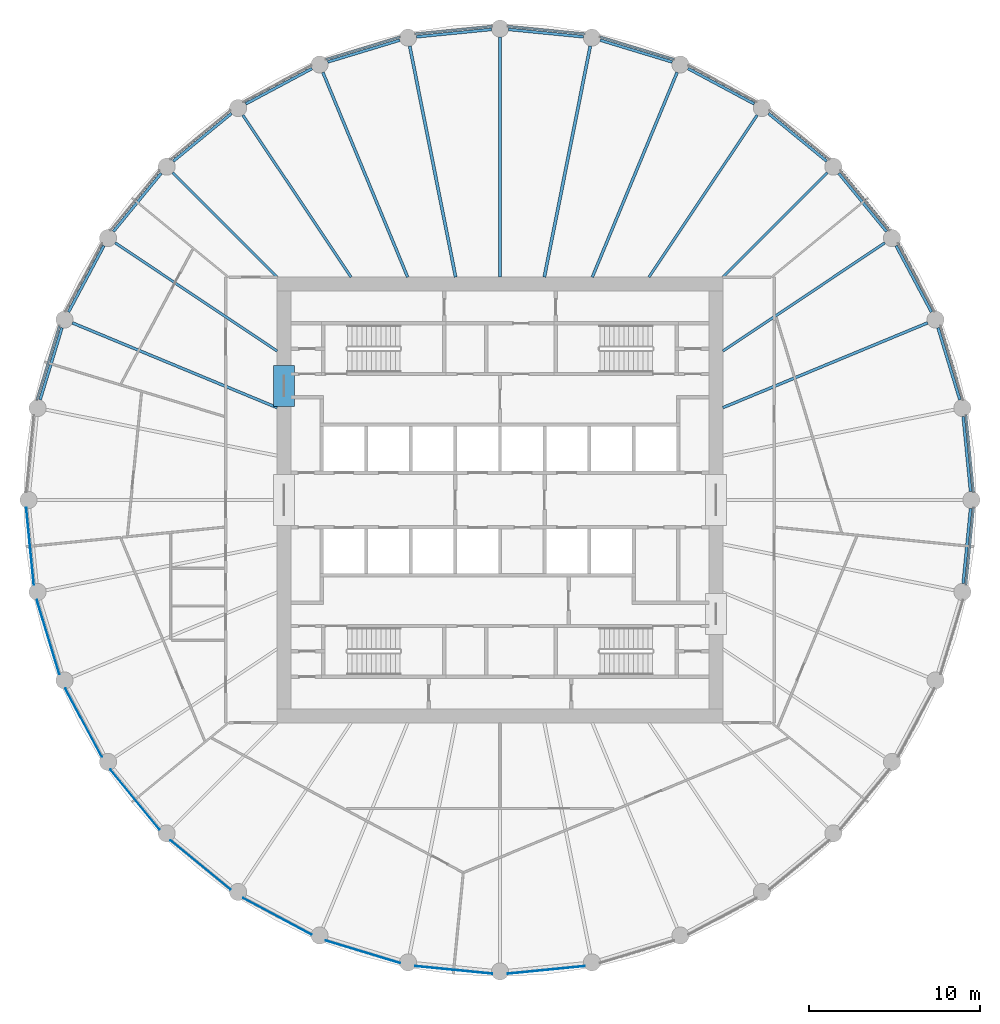
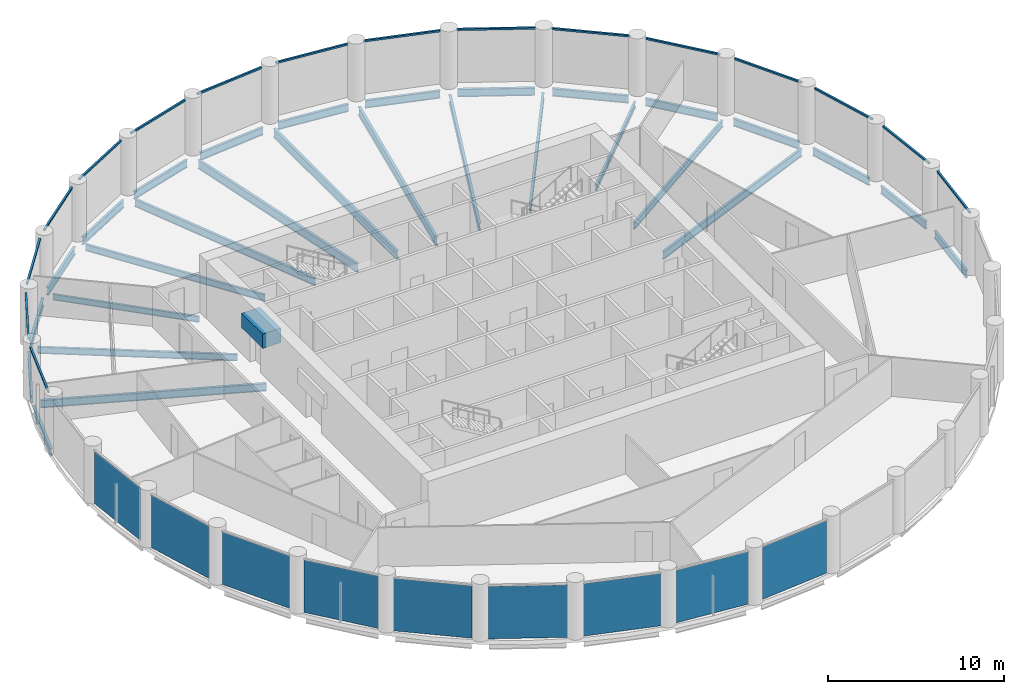
# One storey, part 2 of 9: 30 beams, 16 members, 9 plates, 25 elements without a shape of their own.
"""IFC4 building model written with IfcOpenShell, lengths in metres."""

from ifc_helpers import new_model, si_unit, direction, frame, origin, origin_2d, place, context, subcontext, project, spatial, rectangle, i_section, extrude, material, layer, layer_set, material_profile, profile_set, type_object, element, aggregate, save


model = new_model("IFC4")

# Units and contexts
model_context = context("Model", 3, precision=1e-05, world=origin(), true_north=direction((0.0, 1.0)))
body_context = subcontext(model_context, "Body", "Model", "MODEL_VIEW")
ifc_project = project(units=[si_unit("LENGTHUNIT", "METRE"), si_unit("AREAUNIT", "SQUARE_METRE"), si_unit("VOLUMEUNIT", "CUBIC_METRE"), si_unit("PLANEANGLEUNIT", "RADIAN"), si_unit("MASSUNIT", "GRAM", prefix="KILO")], contexts=[model_context])

# Site, building, storey
site_placement = place(None, origin())
site = spatial("IfcSite", under=ifc_project, at=site_placement, CompositionType="ELEMENT")
building_placement = place(site_placement, origin())
building = spatial("IfcBuilding", under=site, at=building_placement, Name="Corvane Civic Tower", CompositionType="ELEMENT")
storey_placement = place(building_placement, frame((0.0, 0.0, 221.5)))
storey = spatial("IfcBuildingStorey", under=building, at=storey_placement, Name="L52", CompositionType="ELEMENT", Elevation=221.5)

# Beams
ifc_material_1 = material(Name="Concrete C50/60", Category="concrete")
ifc_material_profile_1 = material_profile(ifc_material_1, rectangle(XDim=1.199951171875, YDim=1.0, at=origin_2d()), Name="COUPLING BEAM 1200X1000")
ifc_profile_set_1 = profile_set([ifc_material_profile_1], Name="Concrete C50/60")
beam_type_1 = type_object("IfcBeamType", Name="COUPLING BEAM COUPLING BEAM 1200X1000", PredefinedType="BEAM", material=ifc_profile_set_1)
beam_1_placement = place(storey_placement, frame((-12.60009765625, 5.449951171875, 2.60009765625), z_axis=(0.0, 1.0, 0.0), x_axis=(-1.0, 0.0, 0.0)))
element("IfcBeam", 1, at=beam_1_placement, inside=storey, type_object=beam_type_1, Name="BM-L52-cpl-CW-WN", PredefinedType="BEAM", context=body_context, shape_type="SweptSolid", body=[
    extrude(rectangle(XDim=1.199951171875, YDim=1.0, at=origin_2d()), origin(), (0.0, 0.0, 1.0), 2.400146484375),
])
ifc_material_2 = material(Name="Steel ASTM A992 Gr 50", Category="steel")
ifc_material_profile_2 = material_profile(ifc_material_2, i_section(OverallWidth=0.165771484375, OverallDepth=0.5283203125, WebThickness=0.009765625, FlangeThickness=0.013671875, at=origin_2d()), Name="W21X50")
ifc_profile_set_2 = profile_set([ifc_material_profile_2], Name="Steel ASTM A992 Gr 50")
beam_type_2 = type_object("IfcBeamType", Name="EDGE BEAM W21X50", PredefinedType="BEAM", material=ifc_profile_set_2)
beam_2_placement = place(storey_placement, frame((0.49755859375, 27.450927734375, -0.564208984375), z_axis=(0.995189593769, -0.097967711281, 0.0), x_axis=(0.097967711281, 0.995189593769, 0.0)))
element("IfcBeam", 2, at=beam_2_placement, inside=storey, type_object=beam_type_2, Name="BM-L52-E01", PredefinedType="BEAM", context=body_context, shape_type="SweptSolid", body=[
    extrude(i_section(OverallWidth=0.165771484375, OverallDepth=0.5283203125, WebThickness=0.009765625, FlangeThickness=0.013671875, at=origin_2d()), origin(), (0.0, 0.0, 1.0), 4.39111328125),
])
beam_3_placement = place(storey_placement, frame((5.843505859375, 26.826416015625, -0.564208984375), z_axis=(0.956949547653, -0.290254307888, 0.0), x_axis=(0.290254307888, 0.956949547653, 0.0)))
element("IfcBeam", 3, at=beam_3_placement, inside=storey, type_object=beam_type_2, Name="BM-L52-E02", PredefinedType="BEAM", context=body_context, shape_type="SweptSolid", body=[
    extrude(i_section(OverallWidth=0.165771484375, OverallDepth=0.5283203125, WebThickness=0.009765625, FlangeThickness=0.013671875, at=origin_2d()), origin(), (0.0, 0.0, 1.0), 4.390625),
])
for number, where, z_axis, x_axis, name in (
    (4, (10.964599609375, 25.171142578125, -0.564208984375), (0.881907756852, -0.471422006704, 0.0), (0.471422006704, 0.881907756852, 0.0), "BM-L52-E03"),
    (5, (15.66455078125, 22.54833984375, -0.564208984375), (0.773030026524, -0.634369433447, 0.0), (0.634369433447, 0.773030026524, 0.0), "BM-L52-E04"),
    (6, (19.7626953125, 19.05908203125, -0.564208984375), (0.634369433447, -0.773030026524, 0.0), (0.773030026524, 0.634369433447, 0.0), "BM-L52-E05"),
    (7, (23.10107421875, 14.837158203125, -0.564208984375), (0.471422006704, -0.881907756852, 0.0), (0.881907756852, 0.471422006704, 0.0), "BM-L52-E06"),
):
    element("IfcBeam", number, at=place(storey_placement, frame(where, z_axis=z_axis, x_axis=x_axis)), inside=storey, type_object=beam_type_2, Name=name, PredefinedType="BEAM", context=body_context, shape_type="SweptSolid", body=[
        extrude(i_section(OverallWidth=0.165771484375, OverallDepth=0.5283203125, WebThickness=0.009765625, FlangeThickness=0.013671875, at=origin_2d()), origin(), (0.0, 0.0, 1.0), 4.39111328125),
    ])
beam_4_placement = place(storey_placement, frame((25.552001953125, 10.045166015625, -0.564208984375), z_axis=(0.290254307888, -0.956949547653, 0.0), x_axis=(0.956949547653, 0.290254307888, 0.0)))
element("IfcBeam", 8, at=beam_4_placement, inside=storey, type_object=beam_type_2, Name="BM-L52-E07", PredefinedType="BEAM", context=body_context, shape_type="SweptSolid", body=[
    extrude(i_section(OverallWidth=0.165771484375, OverallDepth=0.5283203125, WebThickness=0.009765625, FlangeThickness=0.013671875, at=origin_2d()), origin(), (0.0, 0.0, 1.0), 4.390625),
])
for number, where, z_axis, x_axis, name in (
    (9, (27.020751953125, 4.867431640625, -0.564208984375), (0.097967711281, -0.995189593769, 0.0), (0.995189593769, 0.097967711281, 0.0), "BM-L52-E08"),
    (10, (27.450927734375, -0.49755859375, -0.564208984375), (-0.097967711281, -0.995189593769, 0.0), (0.995189593769, -0.097967711281, 0.0), "BM-L52-E09"),
):
    element("IfcBeam", number, at=place(storey_placement, frame(where, z_axis=z_axis, x_axis=x_axis)), inside=storey, type_object=beam_type_2, Name=name, PredefinedType="BEAM", context=body_context, shape_type="SweptSolid", body=[
        extrude(i_section(OverallWidth=0.165771484375, OverallDepth=0.5283203125, WebThickness=0.009765625, FlangeThickness=0.013671875, at=origin_2d()), origin(), (0.0, 0.0, 1.0), 4.39111328125),
    ])
beam_5_placement = place(storey_placement, frame((-26.826416015625, 5.843505859375, -0.564208984375), z_axis=(0.290254307888, 0.956949547653, 0.0), x_axis=(-0.956949547653, 0.290254307888, 0.0)))
element("IfcBeam", 11, at=beam_5_placement, inside=storey, type_object=beam_type_2, Name="BM-L52-E26", PredefinedType="BEAM", context=body_context, shape_type="SweptSolid", body=[
    extrude(i_section(OverallWidth=0.165771484375, OverallDepth=0.5283203125, WebThickness=0.009765625, FlangeThickness=0.013671875, at=origin_2d()), origin(), (0.0, 0.0, 1.0), 4.390625),
])
for number, where, z_axis, x_axis, name in (
    (12, (-25.171142578125, 10.964599609375, -0.564208984375), (0.471422006704, 0.881907756852, 0.0), (-0.881907756852, 0.471422006704, 0.0), "BM-L52-E27"),
    (13, (-22.54833984375, 15.66455078125, -0.564208984375), (0.634369433447, 0.773030026524, 0.0), (-0.773030026524, 0.634369433447, 0.0), "BM-L52-E28"),
    (14, (-19.05908203125, 19.7626953125, -0.564208984375), (0.773030026524, 0.634369433447, 0.0), (-0.634369433447, 0.773030026524, 0.0), "BM-L52-E29"),
    (15, (-14.837158203125, 23.10107421875, -0.564208984375), (0.881907756852, 0.471422006704, 0.0), (-0.471422006704, 0.881907756852, 0.0), "BM-L52-E30"),
):
    element("IfcBeam", number, at=place(storey_placement, frame(where, z_axis=z_axis, x_axis=x_axis)), inside=storey, type_object=beam_type_2, Name=name, PredefinedType="BEAM", context=body_context, shape_type="SweptSolid", body=[
        extrude(i_section(OverallWidth=0.165771484375, OverallDepth=0.5283203125, WebThickness=0.009765625, FlangeThickness=0.013671875, at=origin_2d()), origin(), (0.0, 0.0, 1.0), 4.39111328125),
    ])
beam_6_placement = place(storey_placement, frame((-10.045166015625, 25.552001953125, -0.564208984375), z_axis=(0.956949547653, 0.290254307888, 0.0), x_axis=(-0.290254307888, 0.956949547653, 0.0)))
element("IfcBeam", 16, at=beam_6_placement, inside=storey, type_object=beam_type_2, Name="BM-L52-E31", PredefinedType="BEAM", context=body_context, shape_type="SweptSolid", body=[
    extrude(i_section(OverallWidth=0.165771484375, OverallDepth=0.5283203125, WebThickness=0.009765625, FlangeThickness=0.013671875, at=origin_2d()), origin(), (0.0, 0.0, 1.0), 4.390625),
])
beam_7_placement = place(storey_placement, frame((-4.867431640625, 27.020751953125, -0.564208984375), z_axis=(0.995189593769, 0.097967711281, 0.0), x_axis=(-0.097967711281, 0.995189593769, 0.0)))
element("IfcBeam", 17, at=beam_7_placement, inside=storey, type_object=beam_type_2, Name="BM-L52-E32", PredefinedType="BEAM", context=body_context, shape_type="SweptSolid", body=[
    extrude(i_section(OverallWidth=0.165771484375, OverallDepth=0.5283203125, WebThickness=0.009765625, FlangeThickness=0.013671875, at=origin_2d()), origin(), (0.0, 0.0, 1.0), 4.39111328125),
])
ifc_material_3 = material(Name="Steel ASTM A992 Gr 50", Category="steel")
ifc_material_profile_3 = material_profile(ifc_material_3, i_section(OverallWidth=0.140380859375, OverallDepth=0.40380859375, WebThickness=0.007080078125, FlangeThickness=0.01123046875, at=origin_2d()), Name="W16X31")
ifc_profile_set_3 = profile_set([ifc_material_profile_3], Name="Steel ASTM A992 Gr 50")
beam_type_3 = type_object("IfcBeamType", Name="FLOOR GIRDER W16X31", PredefinedType="BEAM", material=ifc_profile_set_3)
for number, where, z_axis, x_axis, name in (
    (18, (13.0, 13.0, -0.501953125), (0.707106781187, 0.707106781187, 0.0), (-0.707106781187, 0.707106781187, 0.0), "BM-L52-G05"),
    (19, (-13.0, 13.0, -0.501953125), (-0.707106781187, 0.707106781187, 0.0), (-0.707106781187, -0.707106781187, 0.0), "BM-L52-G29"),
):
    element("IfcBeam", number, at=place(storey_placement, frame(where, z_axis=z_axis, x_axis=x_axis)), inside=storey, type_object=beam_type_3, Name=name, PredefinedType="BEAM", context=body_context, shape_type="SweptSolid", body=[
        extrude(i_section(OverallWidth=0.140380859375, OverallDepth=0.40380859375, WebThickness=0.007080078125, FlangeThickness=0.01123046875, at=origin_2d()), origin(), (0.0, 0.0, 1.0), 8.614990234375),
    ])
ifc_material_4 = material(Name="Steel ASTM A992 Gr 50", Category="steel")
ifc_material_profile_4 = material_profile(ifc_material_4, i_section(OverallWidth=0.15283203125, OverallDepth=0.45458984375, WebThickness=0.008056640625, FlangeThickness=0.013427734375, at=origin_2d()), Name="W18X40")
ifc_profile_set_4 = profile_set([ifc_material_profile_4], Name="Steel ASTM A992 Gr 50")
beam_type_4 = type_object("IfcBeamType", Name="FLOOR GIRDER W18X40", PredefinedType="BEAM", material=ifc_profile_set_4)
for number, where, z_axis, x_axis, name in (
    (20, (8.686279296875, 13.0, -0.52734375), (0.555577326485, 0.831464872557, 0.0), (-0.831464872557, 0.555577326485, 0.0), "BM-L52-G04"),
    (21, (13.0, 8.686279296875, -0.52734375), (0.831464872557, 0.555577326485, 0.0), (-0.555577326485, 0.831464872557, 0.0), "BM-L52-G06"),
    (22, (-13.0, 8.686279296875, -0.52734375), (-0.831464872557, 0.555577326485, 0.0), (-0.555577326485, -0.831464872557, 0.0), "BM-L52-G28"),
    (23, (-8.686279296875, 13.0, -0.52734375), (-0.555577326485, 0.831464872557, 0.0), (-0.831464872557, -0.555577326485, 0.0), "BM-L52-G30"),
):
    element("IfcBeam", number, at=place(storey_placement, frame(where, z_axis=z_axis, x_axis=x_axis)), inside=storey, type_object=beam_type_4, Name=name, PredefinedType="BEAM", context=body_context, shape_type="SweptSolid", body=[
        extrude(i_section(OverallWidth=0.15283203125, OverallDepth=0.45458984375, WebThickness=0.008056640625, FlangeThickness=0.013427734375, at=origin_2d()), origin(), (0.0, 0.0, 1.0), 11.365234375),
    ])
ifc_material_5 = material(Name="Steel ASTM A992 Gr 50", Category="steel")
ifc_material_profile_5 = material_profile(ifc_material_5, i_section(OverallWidth=0.165771484375, OverallDepth=0.5283203125, WebThickness=0.009765625, FlangeThickness=0.013671875, at=origin_2d()), Name="W21X50")
ifc_profile_set_5 = profile_set([ifc_material_profile_5], Name="Steel ASTM A992 Gr 50")
beam_type_5 = type_object("IfcBeamType", Name="FLOOR GIRDER W21X50", PredefinedType="BEAM", material=ifc_profile_set_5)
for number, where, z_axis, x_axis, name in (
    (24, (5.384765625, 13.0, -0.564208984375), (0.382686450378, 0.923878282404, 0.0), (-0.923878282404, 0.382686450378, 0.0), "BM-L52-G03"),
    (25, (13.0, 5.384765625, -0.564208984375), (0.923878282404, 0.382686450378, 0.0), (-0.382686450378, 0.923878282404, 0.0), "BM-L52-G07"),
    (26, (-13.0, 5.384765625, -0.564208984375), (-0.923878282404, 0.382686450378, 0.0), (-0.382686450378, -0.923878282404, 0.0), "BM-L52-G27"),
    (27, (-5.384765625, 13.0, -0.564208984375), (-0.382686450378, 0.923878282404, 0.0), (-0.923878282404, -0.382686450378, 0.0), "BM-L52-G31"),
):
    element("IfcBeam", number, at=place(storey_placement, frame(where, z_axis=z_axis, x_axis=x_axis)), inside=storey, type_object=beam_type_5, Name=name, PredefinedType="BEAM", context=body_context, shape_type="SweptSolid", body=[
        extrude(i_section(OverallWidth=0.165771484375, OverallDepth=0.5283203125, WebThickness=0.009765625, FlangeThickness=0.013671875, at=origin_2d()), origin(), (0.0, 0.0, 1.0), 12.928955078125),
    ])
ifc_material_6 = material(Name="Steel ASTM A992 Gr 50", Category="steel")
ifc_material_profile_6 = material_profile(ifc_material_6, i_section(OverallWidth=0.177978515625, OverallDepth=0.599365234375, WebThickness=0.010009765625, FlangeThickness=0.012939453125, at=origin_2d()), Name="W24X55")
ifc_profile_set_6 = profile_set([ifc_material_profile_6], Name="Steel ASTM A992 Gr 50")
beam_type_6 = type_object("IfcBeamType", Name="FLOOR GIRDER W24X55", PredefinedType="BEAM", material=ifc_profile_set_6)
beam_8_placement = place(storey_placement, frame((0.0, 13.0, -0.599609375), z_axis=(0.0, 1.0, 0.0), x_axis=(-1.0, 0.0, 0.0)))
element("IfcBeam", 28, at=beam_8_placement, inside=storey, type_object=beam_type_6, Name="BM-L52-G01", PredefinedType="BEAM", context=body_context, shape_type="SweptSolid", body=[
    extrude(i_section(OverallWidth=0.177978515625, OverallDepth=0.599365234375, WebThickness=0.010009765625, FlangeThickness=0.012939453125, at=origin_2d()), origin(), (0.0, 0.0, 1.0), 14.0),
])
for number, where, z_axis, x_axis, name in (
    (29, (2.5859375, 13.0, -0.599609375), (0.195077644118, 0.980787802109, 0.0), (-0.980787802109, 0.195077644118, 0.0), "BM-L52-G02"),
    (30, (-2.5859375, 13.0, -0.599609375), (-0.195077644118, 0.980787802109, 0.0), (-0.980787802109, -0.195077644118, 0.0), "BM-L52-G32"),
):
    element("IfcBeam", number, at=place(storey_placement, frame(where, z_axis=z_axis, x_axis=x_axis)), inside=storey, type_object=beam_type_6, Name=name, PredefinedType="BEAM", context=body_context, shape_type="SweptSolid", body=[
        extrude(i_section(OverallWidth=0.177978515625, OverallDepth=0.599365234375, WebThickness=0.010009765625, FlangeThickness=0.012939453125, at=origin_2d()), origin(), (0.0, 0.0, 1.0), 13.745361328125),
    ])

# Curtain wall, member
ifc_material_7 = material(Name="Anodised aluminium bronze", Category="aluminium")
curtain_wall_type = type_object("IfcCurtainWallType", Name="TOWER CW-T2 STICK CURTAIN WALL", PredefinedType="NOTDEFINED", material=ifc_material_7)
curtain_wall_1_placement = place(storey_placement, origin())
curtain_wall_1 = element("IfcCurtainWall", 31, at=curtain_wall_1_placement, inside=storey, type_object=curtain_wall_type, Name="Curtain wall CW-T2 L52 bay 01", PredefinedType="NOTDEFINED")
ifc_material_8 = material(Name="Anodised aluminium bronze", Category="aluminium")
ifc_material_profile_7 = material_profile(ifc_material_8, rectangle(XDim=0.1201171875, YDim=0.1201171875, at=origin_2d()), Name="TOWER CW-T2 TRANSOM 120x120")
ifc_profile_set_7 = profile_set([ifc_material_profile_7], Name="Anodised aluminium bronze")
member_type = type_object("IfcMemberType", Name="TOWER CW-T2 TRANSOM 120x120", PredefinedType="USERDEFINED", material=ifc_profile_set_7)
member_1_placement = place(storey_placement, frame((0.452392578125, 27.635498046875, 3.68994140625), z_axis=(0.995182207386, -0.098042715701, 0.0), x_axis=(0.098042715701, 0.995182207386, 0.0)))
member_1 = element("IfcMember", 32, at=member_1_placement, type_object=member_type, Name="Transom CW-T2 L52 01.1", ObjectType="TRANSOM", PredefinedType="USERDEFINED", context=body_context, shape_type="SweptSolid", body=[
    extrude(rectangle(XDim=0.1201171875, YDim=0.1201171875, at=origin_2d()), origin(), (0.0, 0.0, 1.0), 4.51708984375),
])
aggregate(curtain_wall_1, [member_1])

curtain_wall_2_placement = place(storey_placement, origin())
curtain_wall_2 = element("IfcCurtainWall", 33, at=curtain_wall_2_placement, inside=storey, type_object=curtain_wall_type, Name="Curtain wall CW-T2 L52 bay 02", PredefinedType="NOTDEFINED")
member_2_placement = place(storey_placement, frame((5.8349609375, 27.016357421875, 3.68994140625), z_axis=(0.956941182173, -0.2902818869, 0.0), x_axis=(0.2902818869, 0.956941182173, 0.0)))
member_2 = element("IfcMember", 34, at=member_2_placement, type_object=member_type, Name="Transom CW-T2 L52 02.1", ObjectType="TRANSOM", PredefinedType="USERDEFINED", context=body_context, shape_type="SweptSolid", body=[
    extrude(rectangle(XDim=0.1201171875, YDim=0.1201171875, at=origin_2d()), origin(), (0.0, 0.0, 1.0), 4.517333984375),
])
aggregate(curtain_wall_2, [member_2])

curtain_wall_3_placement = place(storey_placement, origin())
curtain_wall_3 = element("IfcCurtainWall", 35, at=curtain_wall_3_placement, inside=storey, type_object=curtain_wall_type, Name="Curtain wall CW-T2 L52 bay 03", PredefinedType="NOTDEFINED")
member_3_placement = place(storey_placement, frame((10.993408203125, 25.35888671875, 3.68994140625), z_axis=(0.881924695689, -0.471390317183, 0.0), x_axis=(0.471390317183, 0.881924695689, 0.0)))
member_3 = element("IfcMember", 36, at=member_3_placement, type_object=member_type, Name="Transom CW-T2 L52 03.1", ObjectType="TRANSOM", PredefinedType="USERDEFINED", context=body_context, shape_type="SweptSolid", body=[
    extrude(rectangle(XDim=0.1201171875, YDim=0.1201171875, at=origin_2d()), origin(), (0.0, 0.0, 1.0), 4.517333984375),
])
aggregate(curtain_wall_3, [member_3])

curtain_wall_4_placement = place(storey_placement, origin())
curtain_wall_4 = element("IfcCurtainWall", 37, at=curtain_wall_4_placement, inside=storey, type_object=curtain_wall_type, Name="Curtain wall CW-T2 L52 bay 04", PredefinedType="NOTDEFINED")
member_4_placement = place(storey_placement, frame((15.7294921875, 22.726806640625, 3.68994140625), z_axis=(0.773014925698, -0.634387834569, 0.0), x_axis=(0.634387834569, 0.773014925698, 0.0)))
member_4 = element("IfcMember", 38, at=member_4_placement, type_object=member_type, Name="Transom CW-T2 L52 04.1", ObjectType="TRANSOM", PredefinedType="USERDEFINED", context=body_context, shape_type="SweptSolid", body=[
    extrude(rectangle(XDim=0.1201171875, YDim=0.1201171875, at=origin_2d()), origin(), (0.0, 0.0, 1.0), 4.517333984375),
])
aggregate(curtain_wall_4, [member_4])

curtain_wall_5_placement = place(storey_placement, origin())
curtain_wall_5 = element("IfcCurtainWall", 39, at=curtain_wall_5_placement, inside=storey, type_object=curtain_wall_type, Name="Curtain wall CW-T2 L52 bay 05", PredefinedType="NOTDEFINED")
member_5_placement = place(storey_placement, frame((19.861083984375, 19.221435546875, 3.68994140625), z_axis=(0.634387834569, -0.773014925698, 0.0), x_axis=(0.773014925698, 0.634387834569, 0.0)))
member_5 = element("IfcMember", 40, at=member_5_placement, type_object=member_type, Name="Transom CW-T2 L52 05.1", ObjectType="TRANSOM", PredefinedType="USERDEFINED", context=body_context, shape_type="SweptSolid", body=[
    extrude(rectangle(XDim=0.1201171875, YDim=0.1201171875, at=origin_2d()), origin(), (0.0, 0.0, 1.0), 4.517333984375),
])
aggregate(curtain_wall_5, [member_5])

curtain_wall_6_placement = place(storey_placement, origin())
curtain_wall_6 = element("IfcCurtainWall", 41, at=curtain_wall_6_placement, inside=storey, type_object=curtain_wall_type, Name="Curtain wall CW-T2 L52 bay 06", PredefinedType="NOTDEFINED")
member_6_placement = place(storey_placement, frame((23.2294921875, 14.977294921875, 3.68994140625), z_axis=(0.471390317183, -0.881924695689, 0.0), x_axis=(0.881924695689, 0.471390317183, 0.0)))
member_6 = element("IfcMember", 42, at=member_6_placement, type_object=member_type, Name="Transom CW-T2 L52 06.1", ObjectType="TRANSOM", PredefinedType="USERDEFINED", context=body_context, shape_type="SweptSolid", body=[
    extrude(rectangle(XDim=0.1201171875, YDim=0.1201171875, at=origin_2d()), origin(), (0.0, 0.0, 1.0), 4.517333984375),
])
aggregate(curtain_wall_6, [member_6])

curtain_wall_7_placement = place(storey_placement, origin())
curtain_wall_7 = element("IfcCurtainWall", 43, at=curtain_wall_7_placement, inside=storey, type_object=curtain_wall_type, Name="Curtain wall CW-T2 L52 bay 07", PredefinedType="NOTDEFINED")
member_7_placement = place(storey_placement, frame((25.705078125, 10.15771484375, 3.68994140625), z_axis=(0.2902818869, -0.956941182173, 0.0), x_axis=(0.956941182173, 0.2902818869, 0.0)))
member_7 = element("IfcMember", 44, at=member_7_placement, type_object=member_type, Name="Transom CW-T2 L52 07.1", ObjectType="TRANSOM", PredefinedType="USERDEFINED", context=body_context, shape_type="SweptSolid", body=[
    extrude(rectangle(XDim=0.1201171875, YDim=0.1201171875, at=origin_2d()), origin(), (0.0, 0.0, 1.0), 4.517333984375),
])
aggregate(curtain_wall_7, [member_7])

curtain_wall_8_placement = place(storey_placement, origin())
curtain_wall_8 = element("IfcCurtainWall", 45, at=curtain_wall_8_placement, inside=storey, type_object=curtain_wall_type, Name="Curtain wall CW-T2 L52 bay 08", PredefinedType="NOTDEFINED")
member_8_placement = place(storey_placement, frame((27.192626953125, 4.94775390625, 3.68994140625), z_axis=(0.098042715701, -0.995182207386, 0.0), x_axis=(0.995182207386, 0.098042715701, 0.0)))
member_8 = element("IfcMember", 46, at=member_8_placement, type_object=member_type, Name="Transom CW-T2 L52 08.1", ObjectType="TRANSOM", PredefinedType="USERDEFINED", context=body_context, shape_type="SweptSolid", body=[
    extrude(rectangle(XDim=0.1201171875, YDim=0.1201171875, at=origin_2d()), origin(), (0.0, 0.0, 1.0), 4.51708984375),
])
aggregate(curtain_wall_8, [member_8])

curtain_wall_9_placement = place(storey_placement, origin())
curtain_wall_9 = element("IfcCurtainWall", 47, at=curtain_wall_9_placement, inside=storey, type_object=curtain_wall_type, Name="Curtain wall CW-T2 L52 bay 09", PredefinedType="NOTDEFINED")
member_9_placement = place(storey_placement, frame((27.635498046875, -0.452392578125, 3.68994140625), z_axis=(-0.098042715701, -0.995182207386, 0.0), x_axis=(0.995182207386, -0.098042715701, 0.0)))
member_9 = element("IfcMember", 48, at=member_9_placement, type_object=member_type, Name="Transom CW-T2 L52 09.1", ObjectType="TRANSOM", PredefinedType="USERDEFINED", context=body_context, shape_type="SweptSolid", body=[
    extrude(rectangle(XDim=0.1201171875, YDim=0.1201171875, at=origin_2d()), origin(), (0.0, 0.0, 1.0), 4.51708984375),
])
aggregate(curtain_wall_9, [member_9])

curtain_wall_10_placement = place(storey_placement, origin())
curtain_wall_10 = element("IfcCurtainWall", 49, at=curtain_wall_10_placement, inside=storey, type_object=curtain_wall_type, Name="Curtain wall CW-T2 L52 bay 26", PredefinedType="NOTDEFINED")
member_10_placement = place(storey_placement, frame((-27.016357421875, 5.8349609375, 3.68994140625), z_axis=(0.2902818869, 0.956941182173, 0.0), x_axis=(-0.956941182173, 0.2902818869, 0.0)))
member_10 = element("IfcMember", 50, at=member_10_placement, type_object=member_type, Name="Transom CW-T2 L52 26.1", ObjectType="TRANSOM", PredefinedType="USERDEFINED", context=body_context, shape_type="SweptSolid", body=[
    extrude(rectangle(XDim=0.1201171875, YDim=0.1201171875, at=origin_2d()), origin(), (0.0, 0.0, 1.0), 4.517333984375),
])
aggregate(curtain_wall_10, [member_10])

curtain_wall_11_placement = place(storey_placement, origin())
curtain_wall_11 = element("IfcCurtainWall", 51, at=curtain_wall_11_placement, inside=storey, type_object=curtain_wall_type, Name="Curtain wall CW-T2 L52 bay 27", PredefinedType="NOTDEFINED")
member_11_placement = place(storey_placement, frame((-25.35888671875, 10.993408203125, 3.68994140625), z_axis=(0.471390317183, 0.881924695689, 0.0), x_axis=(-0.881924695689, 0.471390317183, 0.0)))
member_11 = element("IfcMember", 52, at=member_11_placement, type_object=member_type, Name="Transom CW-T2 L52 27.1", ObjectType="TRANSOM", PredefinedType="USERDEFINED", context=body_context, shape_type="SweptSolid", body=[
    extrude(rectangle(XDim=0.1201171875, YDim=0.1201171875, at=origin_2d()), origin(), (0.0, 0.0, 1.0), 4.517333984375),
])
aggregate(curtain_wall_11, [member_11])

curtain_wall_12_placement = place(storey_placement, origin())
curtain_wall_12 = element("IfcCurtainWall", 53, at=curtain_wall_12_placement, inside=storey, type_object=curtain_wall_type, Name="Curtain wall CW-T2 L52 bay 28", PredefinedType="NOTDEFINED")
member_12_placement = place(storey_placement, frame((-22.726806640625, 15.7294921875, 3.68994140625), z_axis=(0.634387834569, 0.773014925698, 0.0), x_axis=(-0.773014925698, 0.634387834569, 0.0)))
member_12 = element("IfcMember", 54, at=member_12_placement, type_object=member_type, Name="Transom CW-T2 L52 28.1", ObjectType="TRANSOM", PredefinedType="USERDEFINED", context=body_context, shape_type="SweptSolid", body=[
    extrude(rectangle(XDim=0.1201171875, YDim=0.1201171875, at=origin_2d()), origin(), (0.0, 0.0, 1.0), 4.517333984375),
])
aggregate(curtain_wall_12, [member_12])

curtain_wall_13_placement = place(storey_placement, origin())
curtain_wall_13 = element("IfcCurtainWall", 55, at=curtain_wall_13_placement, inside=storey, type_object=curtain_wall_type, Name="Curtain wall CW-T2 L52 bay 29", PredefinedType="NOTDEFINED")
member_13_placement = place(storey_placement, frame((-19.221435546875, 19.861083984375, 3.68994140625), z_axis=(0.773014925698, 0.634387834569, 0.0), x_axis=(-0.634387834569, 0.773014925698, 0.0)))
member_13 = element("IfcMember", 56, at=member_13_placement, type_object=member_type, Name="Transom CW-T2 L52 29.1", ObjectType="TRANSOM", PredefinedType="USERDEFINED", context=body_context, shape_type="SweptSolid", body=[
    extrude(rectangle(XDim=0.1201171875, YDim=0.1201171875, at=origin_2d()), origin(), (0.0, 0.0, 1.0), 4.517333984375),
])
aggregate(curtain_wall_13, [member_13])

curtain_wall_14_placement = place(storey_placement, origin())
curtain_wall_14 = element("IfcCurtainWall", 57, at=curtain_wall_14_placement, inside=storey, type_object=curtain_wall_type, Name="Curtain wall CW-T2 L52 bay 30", PredefinedType="NOTDEFINED")
member_14_placement = place(storey_placement, frame((-14.977294921875, 23.2294921875, 3.68994140625), z_axis=(0.881924695689, 0.471390317183, 0.0), x_axis=(-0.471390317183, 0.881924695689, 0.0)))
member_14 = element("IfcMember", 58, at=member_14_placement, type_object=member_type, Name="Transom CW-T2 L52 30.1", ObjectType="TRANSOM", PredefinedType="USERDEFINED", context=body_context, shape_type="SweptSolid", body=[
    extrude(rectangle(XDim=0.1201171875, YDim=0.1201171875, at=origin_2d()), origin(), (0.0, 0.0, 1.0), 4.517333984375),
])
aggregate(curtain_wall_14, [member_14])

curtain_wall_15_placement = place(storey_placement, origin())
curtain_wall_15 = element("IfcCurtainWall", 59, at=curtain_wall_15_placement, inside=storey, type_object=curtain_wall_type, Name="Curtain wall CW-T2 L52 bay 31", PredefinedType="NOTDEFINED")
member_15_placement = place(storey_placement, frame((-10.15771484375, 25.705078125, 3.68994140625), z_axis=(0.956941182173, 0.2902818869, 0.0), x_axis=(-0.2902818869, 0.956941182173, 0.0)))
member_15 = element("IfcMember", 60, at=member_15_placement, type_object=member_type, Name="Transom CW-T2 L52 31.1", ObjectType="TRANSOM", PredefinedType="USERDEFINED", context=body_context, shape_type="SweptSolid", body=[
    extrude(rectangle(XDim=0.1201171875, YDim=0.1201171875, at=origin_2d()), origin(), (0.0, 0.0, 1.0), 4.517333984375),
])
aggregate(curtain_wall_15, [member_15])

curtain_wall_16_placement = place(storey_placement, origin())
curtain_wall_16 = element("IfcCurtainWall", 61, at=curtain_wall_16_placement, inside=storey, type_object=curtain_wall_type, Name="Curtain wall CW-T2 L52 bay 32", PredefinedType="NOTDEFINED")
member_16_placement = place(storey_placement, frame((-4.94775390625, 27.192626953125, 3.68994140625), z_axis=(0.995182207386, 0.098042715701, 0.0), x_axis=(-0.098042715701, 0.995182207386, 0.0)))
member_16 = element("IfcMember", 62, at=member_16_placement, type_object=member_type, Name="Transom CW-T2 L52 32.1", ObjectType="TRANSOM", PredefinedType="USERDEFINED", context=body_context, shape_type="SweptSolid", body=[
    extrude(rectangle(XDim=0.1201171875, YDim=0.1201171875, at=origin_2d()), origin(), (0.0, 0.0, 1.0), 4.51708984375),
])
aggregate(curtain_wall_16, [member_16])

# Curtain wall, plate
curtain_wall_17_placement = place(storey_placement, origin())
curtain_wall_17 = element("IfcCurtainWall", 63, at=curtain_wall_17_placement, inside=storey, type_object=curtain_wall_type, Name="Curtain wall CW-T2 L52 bay 16", PredefinedType="NOTDEFINED")
ifc_material_9 = material(Name="Tinted glass", Category="glass")
ifc_layer = layer(ifc_material_9, 0.031982421875)
ifc_layer_set = layer_set([ifc_layer], Name="Tinted glass")
plate_type = type_object("IfcPlateType", Name="TOWER CW-T2 PANEL IGU32", PredefinedType="CURTAIN_PANEL", material=ifc_layer_set)
plate_1_placement = place(storey_placement, frame((2.699951171875, -27.4140625, 0.0), z_axis=(0.0, 0.0, 1.0), x_axis=(-0.995187058378, -0.097993463235, 0.0)))
plate_1 = element("IfcPlate", 64, at=plate_1_placement, type_object=plate_type, Name="Glass panel CW-T2 L52 16.1", PredefinedType="CURTAIN_PANEL", context=body_context, shape_type="SweptSolid", body=[
    extrude(rectangle(XDim=4.517333984375, YDim=0.031982421875, at=origin_2d()), origin(), (0.0, 0.0, 1.0), 3.6298828125),
])
aggregate(curtain_wall_17, [plate_1])

curtain_wall_18_placement = place(storey_placement, origin())
curtain_wall_18 = element("IfcCurtainWall", 65, at=curtain_wall_18_placement, inside=storey, type_object=curtain_wall_type, Name="Curtain wall CW-T2 L52 bay 17", PredefinedType="NOTDEFINED")
plate_2_placement = place(storey_placement, frame((-2.699951171875, -27.4140625, 0.0), z_axis=(0.0, 0.0, 1.0), x_axis=(-0.995187058378, 0.097993463235, 0.0)))
plate_2 = element("IfcPlate", 66, at=plate_2_placement, type_object=plate_type, Name="Glass panel CW-T2 L52 17.1", PredefinedType="CURTAIN_PANEL", context=body_context, shape_type="SweptSolid", body=[
    extrude(rectangle(XDim=4.517333984375, YDim=0.031982421875, at=origin_2d()), origin(), (0.0, 0.0, 1.0), 3.6298828125),
])
aggregate(curtain_wall_18, [plate_2])

curtain_wall_19_placement = place(storey_placement, origin())
curtain_wall_19 = element("IfcCurtainWall", 67, at=curtain_wall_19_placement, inside=storey, type_object=curtain_wall_type, Name="Curtain wall CW-T2 L52 bay 18", PredefinedType="NOTDEFINED")
plate_3_placement = place(storey_placement, frame((-7.996337890625, -26.360595703125, 0.0), z_axis=(0.0, 0.0, 1.0), x_axis=(-0.956938843612, 0.290289596069, 0.0)))
plate_3 = element("IfcPlate", 68, at=plate_3_placement, type_object=plate_type, Name="Glass panel CW-T2 L52 18.1", PredefinedType="CURTAIN_PANEL", context=body_context, shape_type="SweptSolid", body=[
    extrude(rectangle(XDim=4.517333984375, YDim=0.031982421875, at=origin_2d()), origin(), (0.0, 0.0, 1.0), 3.6298828125),
])
aggregate(curtain_wall_19, [plate_3])

curtain_wall_20_placement = place(storey_placement, origin())
curtain_wall_20 = element("IfcCurtainWall", 69, at=curtain_wall_20_placement, inside=storey, type_object=curtain_wall_type, Name="Curtain wall CW-T2 L52 bay 19", PredefinedType="NOTDEFINED")
plate_4_placement = place(storey_placement, frame((-12.9853515625, -24.294189453125, 0.0), z_axis=(0.0, 0.0, 1.0), x_axis=(-0.881920381001, 0.471398389449, 0.0)))
plate_4 = element("IfcPlate", 70, at=plate_4_placement, type_object=plate_type, Name="Glass panel CW-T2 L52 19.1", PredefinedType="CURTAIN_PANEL", context=body_context, shape_type="SweptSolid", body=[
    extrude(rectangle(XDim=4.517333984375, YDim=0.031982421875, at=origin_2d()), origin(), (0.0, 0.0, 1.0), 3.6298828125),
])
aggregate(curtain_wall_20, [plate_4])

curtain_wall_21_placement = place(storey_placement, origin())
curtain_wall_21 = element("IfcCurtainWall", 71, at=curtain_wall_21_placement, inside=storey, type_object=curtain_wall_type, Name="Curtain wall CW-T2 L52 bay 20", PredefinedType="NOTDEFINED")
plate_5_placement = place(storey_placement, frame((-17.475341796875, -21.2939453125, 0.0), z_axis=(0.0, 0.0, 1.0), x_axis=(-0.773012269331, 0.634391071394, 0.0)))
plate_5 = element("IfcPlate", 72, at=plate_5_placement, type_object=plate_type, Name="Glass panel CW-T2 L52 20.1", PredefinedType="CURTAIN_PANEL", context=body_context, shape_type="SweptSolid", body=[
    extrude(rectangle(XDim=4.517333984375, YDim=0.031982421875, at=origin_2d()), origin(), (0.0, 0.0, 1.0), 3.6298828125),
])
aggregate(curtain_wall_21, [plate_5])

curtain_wall_22_placement = place(storey_placement, origin())
curtain_wall_22 = element("IfcCurtainWall", 73, at=curtain_wall_22_placement, inside=storey, type_object=curtain_wall_type, Name="Curtain wall CW-T2 L52 bay 21", PredefinedType="NOTDEFINED")
plate_6_placement = place(storey_placement, frame((-21.2939453125, -17.475341796875, 0.0), z_axis=(0.0, 0.0, 1.0), x_axis=(-0.634391071394, 0.773012269331, 0.0)))
plate_6 = element("IfcPlate", 74, at=plate_6_placement, type_object=plate_type, Name="Glass panel CW-T2 L52 21.1", PredefinedType="CURTAIN_PANEL", context=body_context, shape_type="SweptSolid", body=[
    extrude(rectangle(XDim=4.517333984375, YDim=0.031982421875, at=origin_2d()), origin(), (0.0, 0.0, 1.0), 3.6298828125),
])
aggregate(curtain_wall_22, [plate_6])

curtain_wall_23_placement = place(storey_placement, origin())
curtain_wall_23 = element("IfcCurtainWall", 75, at=curtain_wall_23_placement, inside=storey, type_object=curtain_wall_type, Name="Curtain wall CW-T2 L52 bay 22", PredefinedType="NOTDEFINED")
plate_7_placement = place(storey_placement, frame((-24.294189453125, -12.9853515625, 0.0), z_axis=(0.0, 0.0, 1.0), x_axis=(-0.471398389449, 0.881920381001, 0.0)))
plate_7 = element("IfcPlate", 76, at=plate_7_placement, type_object=plate_type, Name="Glass panel CW-T2 L52 22.1", PredefinedType="CURTAIN_PANEL", context=body_context, shape_type="SweptSolid", body=[
    extrude(rectangle(XDim=4.517333984375, YDim=0.031982421875, at=origin_2d()), origin(), (0.0, 0.0, 1.0), 3.6298828125),
])
aggregate(curtain_wall_23, [plate_7])

curtain_wall_24_placement = place(storey_placement, origin())
curtain_wall_24 = element("IfcCurtainWall", 77, at=curtain_wall_24_placement, inside=storey, type_object=curtain_wall_type, Name="Curtain wall CW-T2 L52 bay 23", PredefinedType="NOTDEFINED")
plate_8_placement = place(storey_placement, frame((-26.360595703125, -7.996337890625, 0.0), z_axis=(0.0, 0.0, 1.0), x_axis=(-0.290289596069, 0.956938843612, 0.0)))
plate_8 = element("IfcPlate", 78, at=plate_8_placement, type_object=plate_type, Name="Glass panel CW-T2 L52 23.1", PredefinedType="CURTAIN_PANEL", context=body_context, shape_type="SweptSolid", body=[
    extrude(rectangle(XDim=4.517333984375, YDim=0.031982421875, at=origin_2d()), origin(), (0.0, 0.0, 1.0), 3.6298828125),
])
aggregate(curtain_wall_24, [plate_8])

curtain_wall_25_placement = place(storey_placement, origin())
curtain_wall_25 = element("IfcCurtainWall", 79, at=curtain_wall_25_placement, inside=storey, type_object=curtain_wall_type, Name="Curtain wall CW-T2 L52 bay 24", PredefinedType="NOTDEFINED")
plate_9_placement = place(storey_placement, frame((-27.4140625, -2.699951171875, 0.0), z_axis=(0.0, 0.0, 1.0), x_axis=(-0.097993463235, 0.995187058378, 0.0)))
plate_9 = element("IfcPlate", 80, at=plate_9_placement, type_object=plate_type, Name="Glass panel CW-T2 L52 24.1", PredefinedType="CURTAIN_PANEL", context=body_context, shape_type="SweptSolid", body=[
    extrude(rectangle(XDim=4.517333984375, YDim=0.031982421875, at=origin_2d()), origin(), (0.0, 0.0, 1.0), 3.6298828125),
])
aggregate(curtain_wall_25, [plate_9])

save(model, "model.ifc")
